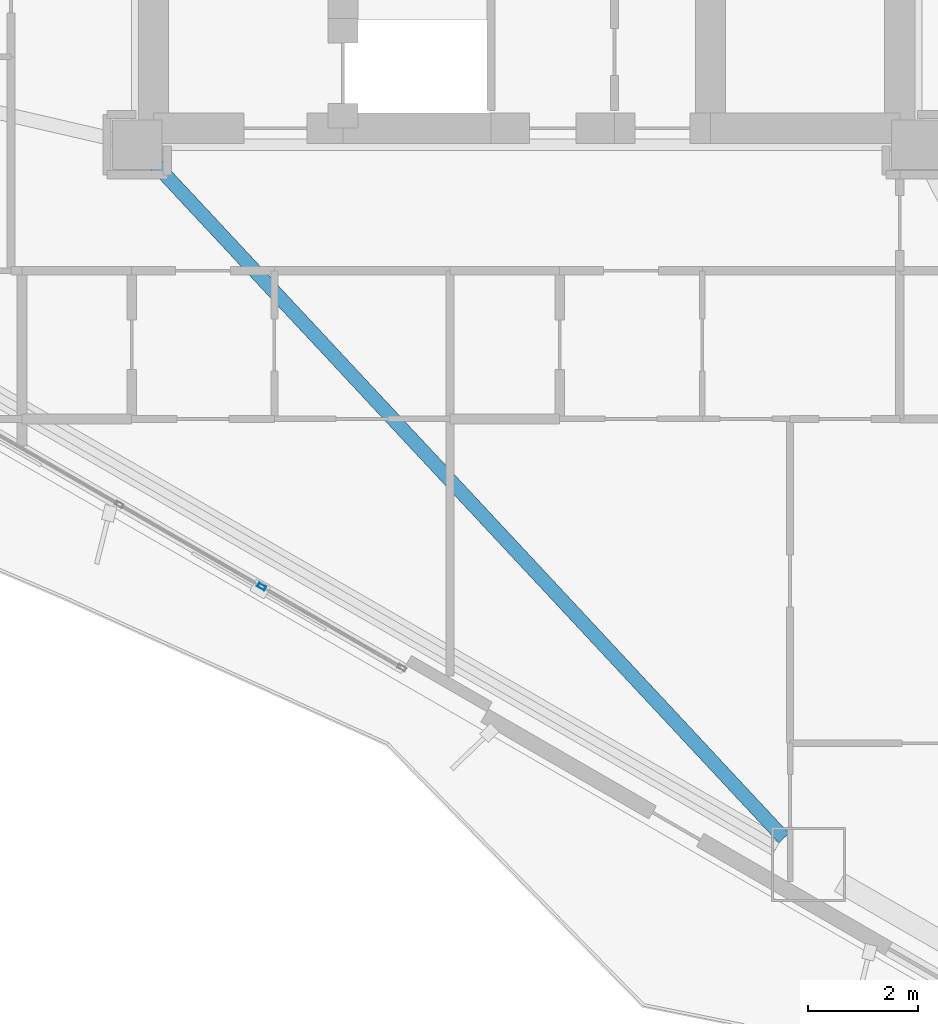
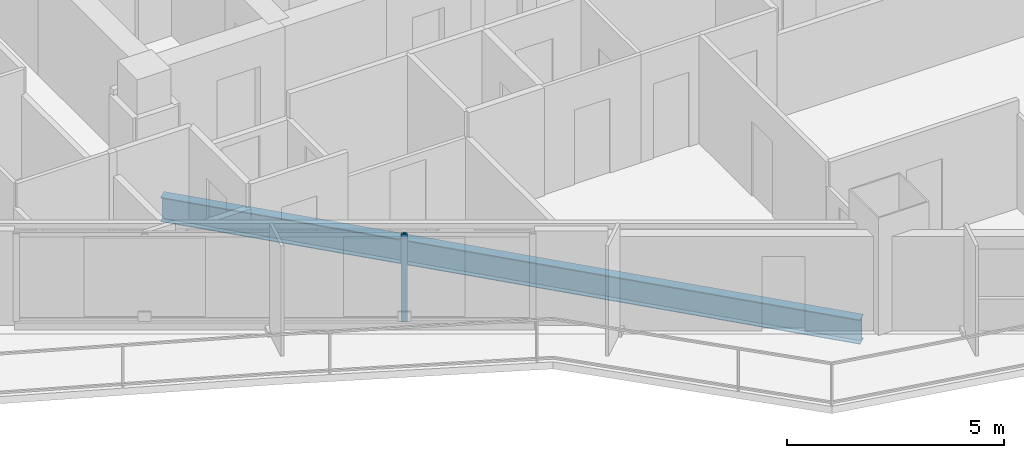
# One storey, part 4 of 18: 1 beam, 1 member, 1 element without a shape of its own.
"""IFC4 building model written with IfcOpenShell, lengths in metres."""

from ifc_helpers import new_model, si_unit, direction, frame, origin, origin_2d, place, context, subcontext, project, spatial, hollow_rectangle, i_section, extrude, material, layer, layer_set, material_profile, profile_set, type_object, element, aggregate, save


model = new_model("IFC4")

# Units and contexts
model_context = context("Model", 3, precision=1e-05, world=origin(), true_north=direction((0.0, 1.0)))
body_context = subcontext(model_context, "Body", "Model", "MODEL_VIEW")
ifc_project = project(units=[si_unit("LENGTHUNIT", "METRE"), si_unit("AREAUNIT", "SQUARE_METRE"), si_unit("VOLUMEUNIT", "CUBIC_METRE"), si_unit("PLANEANGLEUNIT", "RADIAN"), si_unit("MASSUNIT", "GRAM", prefix="KILO")], contexts=[model_context])

# Site, building, storey
site_placement = place(None, origin())
site = spatial("IfcSite", under=ifc_project, at=site_placement, CompositionType="ELEMENT")
building_placement = place(site_placement, origin())
building = spatial("IfcBuilding", under=site, at=building_placement, Name="Mersakhor Tower and Convention Hall", CompositionType="ELEMENT")
storey_placement = place(building_placement, frame((0.0, 0.0, 35.699951171875)))
storey = spatial("IfcBuildingStorey", under=building, at=storey_placement, Name="L09", CompositionType="ELEMENT", Elevation=35.699951171875)

# Beam
ifc_material_1 = material(Name="Steel S355", Category="steel")
ifc_material_profile_1 = material_profile(ifc_material_1, i_section(OverallWidth=0.25439453125, OverallDepth=0.6875, WebThickness=0.01318359375, FlangeThickness=0.02099609375, at=origin_2d()), Name="UB 686x254x152")
ifc_profile_set_1 = profile_set([ifc_material_profile_1], Name="Steel S355")
beam_type = type_object("IfcBeamType", Name="BM-PR-686", PredefinedType="BEAM", material=ifc_profile_set_1)
beam_placement = place(storey_placement, frame((22.193359375, 20.135498046875, -0.603759765625), z_axis=(0.68200435324, -0.731348112845, 0.0), x_axis=(0.731348112845, 0.68200435324, 0.0)))
element("IfcBeam", 1, at=beam_placement, inside=storey, type_object=beam_type, Name="L09 Primary Floor Girder FG-5", PredefinedType="BEAM", context=body_context, shape_type="SweptSolid", body=[
    extrude(i_section(OverallWidth=0.25439453125, OverallDepth=0.6875, WebThickness=0.01318359375, FlangeThickness=0.02099609375, at=origin_2d()), origin(), (0.0, 0.0, 1.0), 16.85205078125),
])

# Curtain wall, member
ifc_material_2 = material(Name="Dark solar low-E aluminium curtain wall", Category="aluminium")
ifc_layer = layer(ifc_material_2, 0.159912109375)
ifc_layer_set = layer_set([ifc_layer], Name="Dark solar low-E aluminium curtain wall")
curtain_wall_type = type_object("IfcCurtainWallType", Name="CW-SYS-01", PredefinedType="USERDEFINED", material=ifc_layer_set)
curtain_wall_placement = place(storey_placement, origin())
curtain_wall = element("IfcCurtainWall", 2, at=curtain_wall_placement, inside=storey, type_object=curtain_wall_type, Name="L09 Dark-Glass Curtain Wall F3-B2", ObjectType="CURTAIN WALL", PredefinedType="USERDEFINED")
ifc_material_3 = material(Name="Anodised aluminium EN AW-6063 T6", Category="aluminium")
ifc_material_profile_2 = material_profile(ifc_material_3, hollow_rectangle(XDim=0.074951171875, YDim=0.14990234375, WallThickness=0.00634765625, at=origin_2d()), Name="RHS 150x75x6.3")
ifc_profile_set_2 = profile_set([ifc_material_profile_2], Name="Anodised aluminium EN AW-6063 T6")
member_type = type_object("IfcMemberType", Name="CWM-150x75", PredefinedType="MULLION", material=ifc_profile_set_2)
member_placement = place(storey_placement, frame((24.167236328125, 12.392822265625, 0.199951171875), z_axis=(0.0, 0.0, 1.0), x_axis=(-0.50000344889, -0.866023412558, 0.0)))
member = element("IfcMember", 3, at=member_placement, type_object=member_type, Name="CW-01 mullion 2", PredefinedType="MULLION", context=body_context, shape_type="SweptSolid", body=[
    extrude(hollow_rectangle(XDim=0.074951171875, YDim=0.14990234375, WallThickness=0.00634765625, at=origin_2d()), origin(), (0.0, 0.0, 1.0), 2.460205078125),
])
aggregate(curtain_wall, [member])

save(model, "model.ifc")
